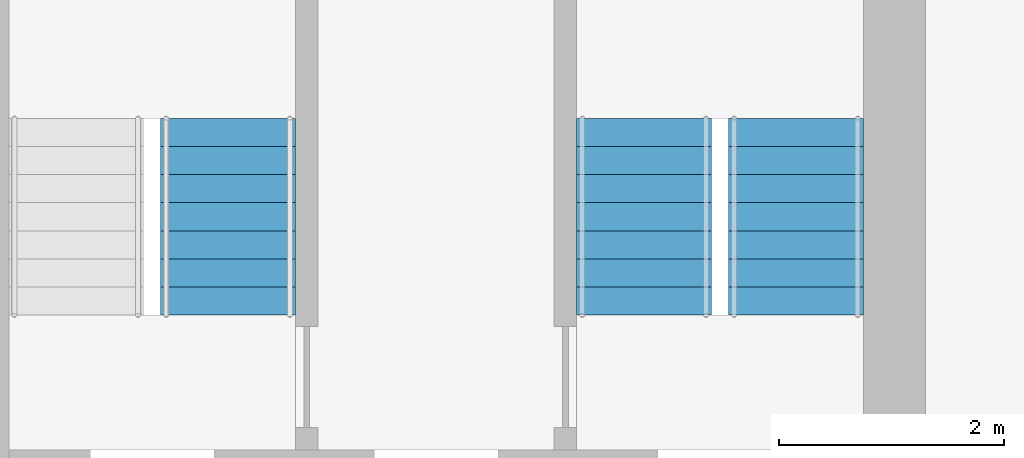
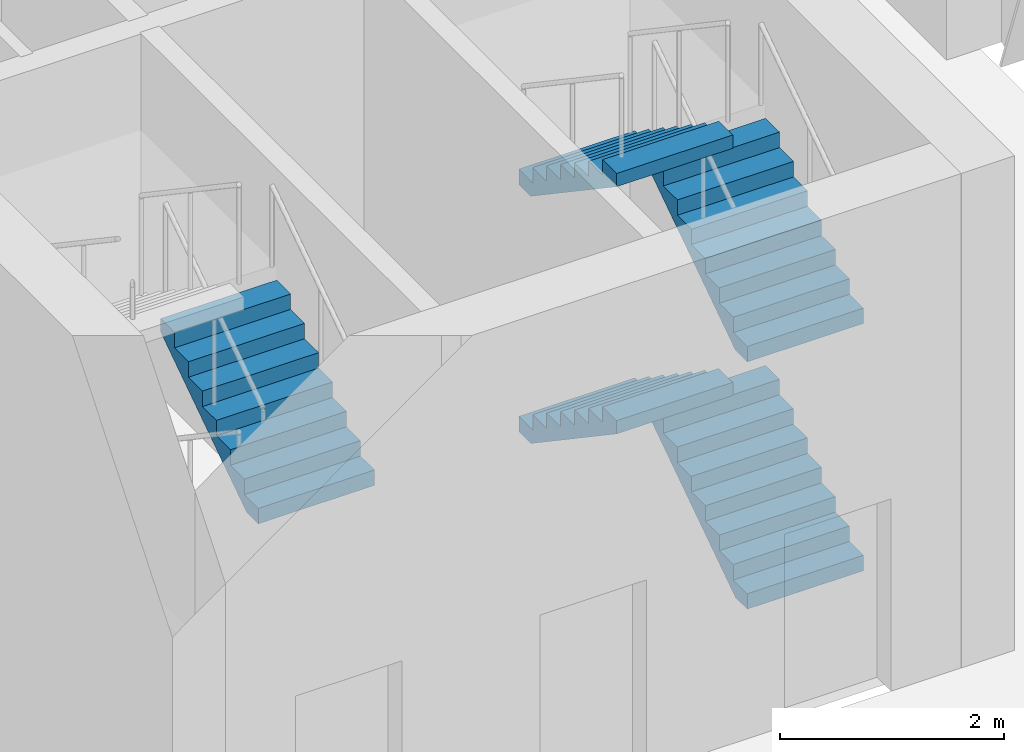
# One storey, part 7 of 11: 5 stair flights, 2 elements without a shape of their own.
"""IFC4 building model written with IfcOpenShell, lengths in metres."""

from ifc_helpers import new_model, si_unit, direction, frame, origin, place, context, subcontext, project, spatial, polyline, outline, extrude, material, type_object, element, aggregate, save


model = new_model("IFC4")

# Units and contexts
model_context = context("Model", 3, precision=1e-05, world=origin(), true_north=direction((0.0, 1.0)))
body_context = subcontext(model_context, "Body", "Model", "MODEL_VIEW")
ifc_project = project(units=[si_unit("LENGTHUNIT", "METRE"), si_unit("AREAUNIT", "SQUARE_METRE"), si_unit("VOLUMEUNIT", "CUBIC_METRE"), si_unit("PLANEANGLEUNIT", "RADIAN"), si_unit("MASSUNIT", "GRAM", prefix="KILO")], contexts=[model_context])

# Site, building, storey
site_placement = place(None, origin())
site = spatial("IfcSite", under=ifc_project, at=site_placement, CompositionType="ELEMENT")
building_placement = place(site_placement, origin())
building = spatial("IfcBuilding", under=site, at=building_placement, Name="Girih Gate Residences", CompositionType="ELEMENT")
storey_placement = place(building_placement, frame((0.0, 0.0, 124.800048828125)))
storey = spatial("IfcBuildingStorey", under=building, at=storey_placement, Name="L35", CompositionType="ELEMENT", Elevation=124.800048828125)

# Stair, stair flights
ifc_material = material(Name="Concrete C40/50", Category="concrete")
stair_type = type_object("IfcStairType", Name="Exit stair", PredefinedType="HALF_TURN_STAIR", material=ifc_material)
stair_1_placement = place(storey_placement, origin())
stair_1 = element("IfcStair", 1, at=stair_1_placement, inside=storey, type_object=stair_type, Name="L35 Exit Stair ST-E1", PredefinedType="HALF_TURN_STAIR")
stair_flight_type = type_object("IfcStairFlightType", Name="Stair flight 1200", PredefinedType="STRAIGHT", material=ifc_material)
stair_flight_1_placement = place(storey_placement, frame((43.699951171875, 28.89990234375, 0.0), z_axis=(0.0, 0.0, 1.0), x_axis=(0.0, 1.0, 0.0)))
stair_flight_1 = element("IfcStairFlight", 2, at=stair_flight_1_placement, type_object=stair_flight_type, Name="ST-E1 flight 1", NumberOfRisers=8, NumberOfTreads=7, PredefinedType="STRAIGHT", RiserHeight=0.16875, TreadLength=0.25, context=body_context, shape_type="SweptSolid", body=[
    extrude(outline(polyline([(0.0, 0.0), (0.0, 0.011962890625), (0.0, 0.024169921875), (0.0, 0.0361328125), (0.0, 0.048095703125), (0.0, 0.060302734375), (0.0, 0.072265625), (0.0, 0.08447265625), (0.0, 0.096435546875), (0.0, 0.1083984375), (0.0, 0.12060546875), (0.0, 0.132568359375), (0.0, 0.14453125), (0.0, 0.15673828125), (0.0, 0.168701171875), (0.25, 0.168701171875), (0.25, 0.33740234375), (0.5, 0.33740234375), (0.5, 0.50634765625), (0.75, 0.50634765625), (0.75, 0.675048828125), (1.0, 0.675048828125), (1.0, 0.84375), (1.25, 0.84375), (1.25, 1.012451171875), (1.5, 1.012451171875), (1.5, 1.18115234375), (1.75, 1.18115234375), (1.75, 1.193359375), (1.75, 1.205322265625), (1.75, 1.217529296875), (1.75, 1.2294921875), (1.75, 1.241455078125), (1.75, 1.253662109375), (1.75, 1.265625), (1.75, 1.277587890625), (1.75, 1.289794921875), (1.75, 1.3017578125), (1.75, 1.313720703125), (1.75, 1.325927734375), (1.75, 1.337890625), (1.75, 1.35009765625), (1.75, 1.32763671875), (1.75, 1.30517578125), (1.75, 1.28271484375), (1.75, 1.260498046875), (1.75, 1.238037109375), (1.75, 1.215576171875), (1.75, 1.193115234375), (1.75, 1.170654296875), (1.75, 1.1484375), (1.75, 1.1259765625), (1.75, 1.103515625), (1.75, 1.0810546875), (1.75, 1.058837890625), (1.75, 1.036376953125), (0.214599609375, 0.0), (0.0, 0.0)])), frame((0.0, 0.60009765625, 0.0), z_axis=(0.0, -1.0, 0.0), x_axis=(1.0, 0.0, 0.0)), (0.0, 0.0, 1.0), 1.199951171875),
])
stair_flight_2_placement = place(storey_placement, frame((42.35009765625, 30.64990234375, 1.349853515625), z_axis=(0.0, 0.0, 1.0), x_axis=(0.0, -1.0, 0.0)))
stair_flight_2 = element("IfcStairFlight", 3, at=stair_flight_2_placement, type_object=stair_flight_type, Name="ST-E1 flight 2", NumberOfRisers=8, NumberOfTreads=7, PredefinedType="STRAIGHT", RiserHeight=0.16875, TreadLength=0.25, context=body_context, shape_type="SweptSolid", body=[
    extrude(outline(polyline([(0.0, 0.0), (0.0, 0.011962890625), (0.0, 0.024169921875), (0.0, 0.0361328125), (0.0, 0.048095703125), (0.0, 0.060302734375), (0.0, 0.072265625), (0.0, 0.08447265625), (0.0, 0.096435546875), (0.0, 0.1083984375), (0.0, 0.12060546875), (0.0, 0.132568359375), (0.0, 0.14453125), (0.0, 0.15673828125), (0.0, 0.168701171875), (0.25, 0.168701171875), (0.25, 0.33740234375), (0.5, 0.33740234375), (0.5, 0.50634765625), (0.75, 0.50634765625), (0.75, 0.675048828125), (1.0, 0.675048828125), (1.0, 0.84375), (1.25, 0.84375), (1.25, 1.012451171875), (1.5, 1.012451171875), (1.5, 1.18115234375), (1.75, 1.18115234375), (1.75, 1.193359375), (1.75, 1.205322265625), (1.75, 1.217529296875), (1.75, 1.2294921875), (1.75, 1.241455078125), (1.75, 1.253662109375), (1.75, 1.265625), (1.75, 1.277587890625), (1.75, 1.289794921875), (1.75, 1.3017578125), (1.75, 1.313720703125), (1.75, 1.325927734375), (1.75, 1.337890625), (1.75, 1.35009765625), (1.75, 1.32763671875), (1.75, 1.30517578125), (1.75, 1.28271484375), (1.75, 1.260498046875), (1.75, 1.238037109375), (1.75, 1.215576171875), (1.75, 1.193115234375), (1.75, 1.170654296875), (1.75, 1.1484375), (1.75, 1.1259765625), (1.75, 1.103515625), (1.75, 1.0810546875), (1.75, 1.058837890625), (1.75, 1.036376953125), (0.214599609375, 0.0), (0.0, 0.0)])), frame((0.0, 0.60009765625, 0.0), z_axis=(0.0, -1.0, 0.0), x_axis=(1.0, 0.0, 0.0)), (0.0, 0.0, 1.0), 1.199951171875),
])
stair_flight_3_placement = place(storey_placement, frame((43.699951171875, 28.89990234375, 2.699951171875), z_axis=(0.0, 0.0, 1.0), x_axis=(0.0, 1.0, 0.0)))
stair_flight_3 = element("IfcStairFlight", 4, at=stair_flight_3_placement, type_object=stair_flight_type, Name="ST-E1 flight 3", NumberOfRisers=8, NumberOfTreads=7, PredefinedType="STRAIGHT", RiserHeight=0.16875, TreadLength=0.25, context=body_context, shape_type="SweptSolid", body=[
    extrude(outline(polyline([(0.0, 0.0), (0.0, 0.011962890625), (0.0, 0.024169921875), (0.0, 0.0361328125), (0.0, 0.048095703125), (0.0, 0.060302734375), (0.0, 0.072265625), (0.0, 0.08447265625), (0.0, 0.096435546875), (0.0, 0.1083984375), (0.0, 0.12060546875), (0.0, 0.132568359375), (0.0, 0.14453125), (0.0, 0.15673828125), (0.0, 0.168701171875), (0.25, 0.168701171875), (0.25, 0.33740234375), (0.5, 0.33740234375), (0.5, 0.50634765625), (0.75, 0.50634765625), (0.75, 0.675048828125), (1.0, 0.675048828125), (1.0, 0.84375), (1.25, 0.84375), (1.25, 1.012451171875), (1.5, 1.012451171875), (1.5, 1.18115234375), (1.75, 1.18115234375), (1.75, 1.193359375), (1.75, 1.205322265625), (1.75, 1.217529296875), (1.75, 1.2294921875), (1.75, 1.241455078125), (1.75, 1.253662109375), (1.75, 1.265625), (1.75, 1.277587890625), (1.75, 1.289794921875), (1.75, 1.3017578125), (1.75, 1.313720703125), (1.75, 1.325927734375), (1.75, 1.337890625), (1.75, 1.35009765625), (1.75, 1.32763671875), (1.75, 1.30517578125), (1.75, 1.28271484375), (1.75, 1.260498046875), (1.75, 1.238037109375), (1.75, 1.215576171875), (1.75, 1.193115234375), (1.75, 1.170654296875), (1.75, 1.1484375), (1.75, 1.1259765625), (1.75, 1.103515625), (1.75, 1.0810546875), (1.75, 1.058837890625), (1.75, 1.036376953125), (0.214599609375, 0.0), (0.0, 0.0)])), frame((0.0, 0.60009765625, 0.0), z_axis=(0.0, -1.0, 0.0), x_axis=(1.0, 0.0, 0.0)), (0.0, 0.0, 1.0), 1.199951171875),
])
stair_flight_4_placement = place(storey_placement, frame((42.35009765625, 30.64990234375, 4.050048828125), z_axis=(0.0, 0.0, 1.0), x_axis=(0.0, -1.0, 0.0)))
stair_flight_4 = element("IfcStairFlight", 5, at=stair_flight_4_placement, type_object=stair_flight_type, Name="ST-E1 flight 4", NumberOfRisers=8, NumberOfTreads=7, PredefinedType="STRAIGHT", RiserHeight=0.16875, TreadLength=0.25, context=body_context, shape_type="SweptSolid", body=[
    extrude(outline(polyline([(0.0, 0.0), (0.0, 0.011962890625), (0.0, 0.024169921875), (0.0, 0.0361328125), (0.0, 0.048095703125), (0.0, 0.060302734375), (0.0, 0.072265625), (0.0, 0.08447265625), (0.0, 0.096435546875), (0.0, 0.1083984375), (0.0, 0.12060546875), (0.0, 0.132568359375), (0.0, 0.14453125), (0.0, 0.15673828125), (0.0, 0.168701171875), (0.25, 0.168701171875), (0.25, 0.33740234375), (0.5, 0.33740234375), (0.5, 0.50634765625), (0.75, 0.50634765625), (0.75, 0.675048828125), (1.0, 0.675048828125), (1.0, 0.84375), (1.25, 0.84375), (1.25, 1.012451171875), (1.5, 1.012451171875), (1.5, 1.18115234375), (1.75, 1.18115234375), (1.75, 1.193359375), (1.75, 1.205322265625), (1.75, 1.217529296875), (1.75, 1.2294921875), (1.75, 1.241455078125), (1.75, 1.253662109375), (1.75, 1.265625), (1.75, 1.277587890625), (1.75, 1.289794921875), (1.75, 1.3017578125), (1.75, 1.313720703125), (1.75, 1.325927734375), (1.75, 1.337890625), (1.75, 1.35009765625), (1.75, 1.32763671875), (1.75, 1.30517578125), (1.75, 1.28271484375), (1.75, 1.260498046875), (1.75, 1.238037109375), (1.75, 1.215576171875), (1.75, 1.193115234375), (1.75, 1.170654296875), (1.75, 1.1484375), (1.75, 1.1259765625), (1.75, 1.103515625), (1.75, 1.0810546875), (1.75, 1.058837890625), (1.75, 1.036376953125), (0.214599609375, 0.0), (0.0, 0.0)])), frame((0.0, 0.60009765625, 0.0), z_axis=(0.0, -1.0, 0.0), x_axis=(1.0, 0.0, 0.0)), (0.0, 0.0, 1.0), 1.199951171875),
])
aggregate(stair_1, [stair_flight_1, stair_flight_2, stair_flight_3, stair_flight_4])

# Stair, stair flight
stair_2_placement = place(storey_placement, origin())
stair_2 = element("IfcStair", 6, at=stair_2_placement, inside=storey, type_object=stair_type, Name="L35 Exit Stair ST-E2", PredefinedType="HALF_TURN_STAIR")
stair_flight_5_placement = place(storey_placement, frame((38.64990234375, 28.89990234375, 2.699951171875), z_axis=(0.0, 0.0, 1.0), x_axis=(0.0, 1.0, 0.0)))
stair_flight_5 = element("IfcStairFlight", 7, at=stair_flight_5_placement, type_object=stair_flight_type, Name="ST-E2 flight 3", NumberOfRisers=8, NumberOfTreads=7, PredefinedType="STRAIGHT", RiserHeight=0.16875, TreadLength=0.25, context=body_context, shape_type="SweptSolid", body=[
    extrude(outline(polyline([(0.0, 0.0), (0.0, 0.011962890625), (0.0, 0.024169921875), (0.0, 0.0361328125), (0.0, 0.048095703125), (0.0, 0.060302734375), (0.0, 0.072265625), (0.0, 0.08447265625), (0.0, 0.096435546875), (0.0, 0.1083984375), (0.0, 0.12060546875), (0.0, 0.132568359375), (0.0, 0.14453125), (0.0, 0.15673828125), (0.0, 0.168701171875), (0.25, 0.168701171875), (0.25, 0.33740234375), (0.5, 0.33740234375), (0.5, 0.50634765625), (0.75, 0.50634765625), (0.75, 0.675048828125), (1.0, 0.675048828125), (1.0, 0.84375), (1.25, 0.84375), (1.25, 1.012451171875), (1.5, 1.012451171875), (1.5, 1.18115234375), (1.75, 1.18115234375), (1.75, 1.193359375), (1.75, 1.205322265625), (1.75, 1.217529296875), (1.75, 1.2294921875), (1.75, 1.241455078125), (1.75, 1.253662109375), (1.75, 1.265625), (1.75, 1.277587890625), (1.75, 1.289794921875), (1.75, 1.3017578125), (1.75, 1.313720703125), (1.75, 1.325927734375), (1.75, 1.337890625), (1.75, 1.35009765625), (1.75, 1.32763671875), (1.75, 1.30517578125), (1.75, 1.28271484375), (1.75, 1.260498046875), (1.75, 1.238037109375), (1.75, 1.215576171875), (1.75, 1.193115234375), (1.75, 1.170654296875), (1.75, 1.1484375), (1.75, 1.1259765625), (1.75, 1.103515625), (1.75, 1.0810546875), (1.75, 1.058837890625), (1.75, 1.036376953125), (0.214599609375, 0.0), (0.0, 0.0)])), frame((0.0, 0.60009765625, 0.0), z_axis=(0.0, -1.0, 0.0), x_axis=(1.0, 0.0, 0.0)), (0.0, 0.0, 1.0), 1.199951171875),
])
aggregate(stair_2, [stair_flight_5])

save(model, "model.ifc")
